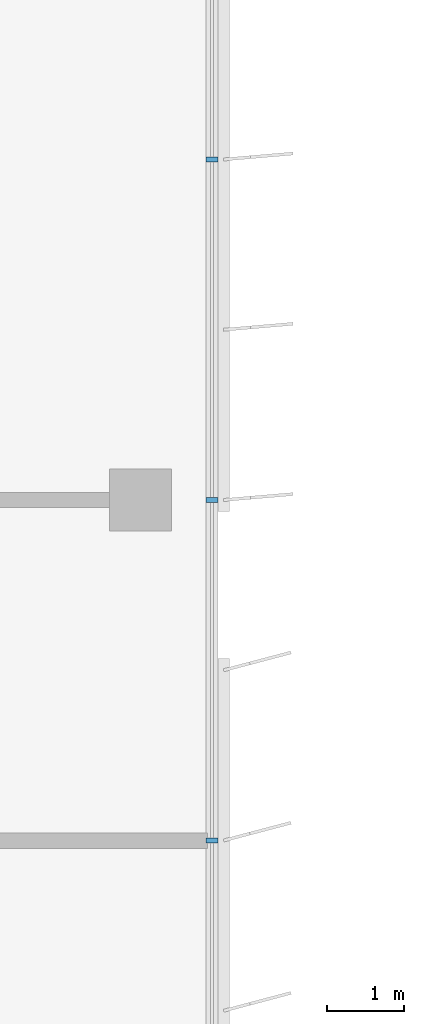
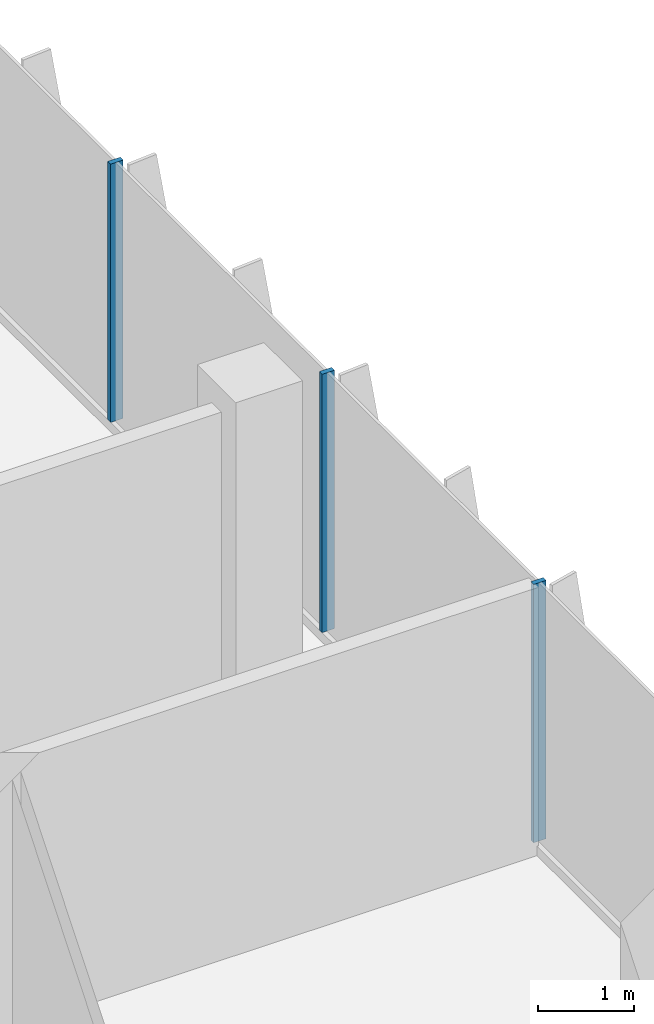
# One storey, part 4 of 15: 3 members, 1 element without a shape of its own.
"""IFC4 building model written with IfcOpenShell, lengths in metres."""

from ifc_helpers import new_model, si_unit, direction, frame, origin, origin_2d, place, context, subcontext, project, spatial, rectangle, extrude, source, transform, mapped, material, material_profile, profile_set, type_object, element, aggregate, save


model = new_model("IFC4")

# Units and contexts
model_context = context("Model", 3, precision=1e-05, world=origin(), true_north=direction((0.0, 1.0)))
body_context = subcontext(model_context, "Body", "Model", "MODEL_VIEW")
ifc_project = project(units=[si_unit("LENGTHUNIT", "METRE"), si_unit("AREAUNIT", "SQUARE_METRE"), si_unit("VOLUMEUNIT", "CUBIC_METRE"), si_unit("PLANEANGLEUNIT", "RADIAN"), si_unit("MASSUNIT", "GRAM", prefix="KILO")], contexts=[model_context])

# Site, building, storey
site_placement = place(None, origin())
site = spatial("IfcSite", under=ifc_project, at=site_placement, CompositionType="ELEMENT")
building_placement = place(site_placement, origin())
building = spatial("IfcBuilding", under=site, at=building_placement, Name="Kemantara Hotel Tower", CompositionType="ELEMENT")
storey_placement = place(building_placement, frame((0.0, 0.0, 237.60009765625)))
storey = spatial("IfcBuildingStorey", under=building, at=storey_placement, Name="L59", CompositionType="ELEMENT", Elevation=237.60009765625)

# Curtain wall, members
ifc_material_1 = material(Name="Low-E tinted double insulated glass 36 mm", Category="glass")
curtain_wall_type = type_object("IfcCurtainWallType", Name="TOWER CURTAIN WALL, FRONT FACES", PredefinedType="USERDEFINED", material=ifc_material_1)
curtain_wall_placement = place(storey_placement, origin())
curtain_wall = element("IfcCurtainWall", 1, at=curtain_wall_placement, inside=storey, type_object=curtain_wall_type, Name="CW4 L59 T4-R15-1", ObjectType="TOWER CURTAIN WALL, FRONT FACES", PredefinedType="USERDEFINED")
ifc_material_2 = material(Name="Aluminium 6063-T6 bronze anodised", Category="aluminium")
ifc_material_profile = material_profile(ifc_material_2, rectangle(XDim=0.14990234375, YDim=0.06005859375, at=origin_2d()), Name="TOWER CURTAIN WALL, FRONT FACES MULLION")
ifc_profile_set = profile_set([ifc_material_profile], Name="Aluminium 6063-T6 bronze anodised")
member_type = type_object("IfcMemberType", Name="TOWER CURTAIN WALL, FRONT FACES MULLION", PredefinedType="MULLION", material=ifc_profile_set)
shared_shape = source(origin(), body_context, "Body", "SweptSolid", [
    extrude(rectangle(XDim=0.14990234375, YDim=0.06005859375, at=origin_2d()), origin(), (0.0, 0.0, 1.0), 3.280029296875),
])
member_1_placement = place(storey_placement, frame((21.925048828125, 31.800048828125, 0.119873046875), z_axis=(0.0, 0.0, 1.0), x_axis=(-1.0, 0.0, 0.0)))
member_1 = element("IfcMember", 2, at=member_1_placement, type_object=member_type, Name="CW4 mullion T4-R15-1.3", PredefinedType="MULLION", context=body_context, shape_type="MappedRepresentation", body=[
    mapped(shared_shape, transform((0.0, 0.0, 0.0))),
])
member_2_placement = place(storey_placement, frame((21.925048828125, 36.199951171875, 0.119873046875), z_axis=(0.0, 0.0, 1.0), x_axis=(-1.0, 0.0, 0.0)))
member_2 = element("IfcMember", 3, at=member_2_placement, type_object=member_type, Name="CW4 mullion T4-R15-1.4", PredefinedType="MULLION", context=body_context, shape_type="MappedRepresentation", body=[
    mapped(shared_shape, transform((0.0, 0.0, 0.0))),
])
member_3_placement = place(storey_placement, frame((21.925048828125, 40.60009765625, 0.119873046875), z_axis=(0.0, 0.0, 1.0), x_axis=(-1.0, 0.0, 0.0)))
member_3 = element("IfcMember", 4, at=member_3_placement, type_object=member_type, Name="CW4 mullion T4-R15-1.5", PredefinedType="MULLION", context=body_context, shape_type="MappedRepresentation", body=[
    mapped(shared_shape, transform((0.0, 0.0, 0.0))),
])
aggregate(curtain_wall, [member_1, member_2, member_3])

save(model, "model.ifc")
